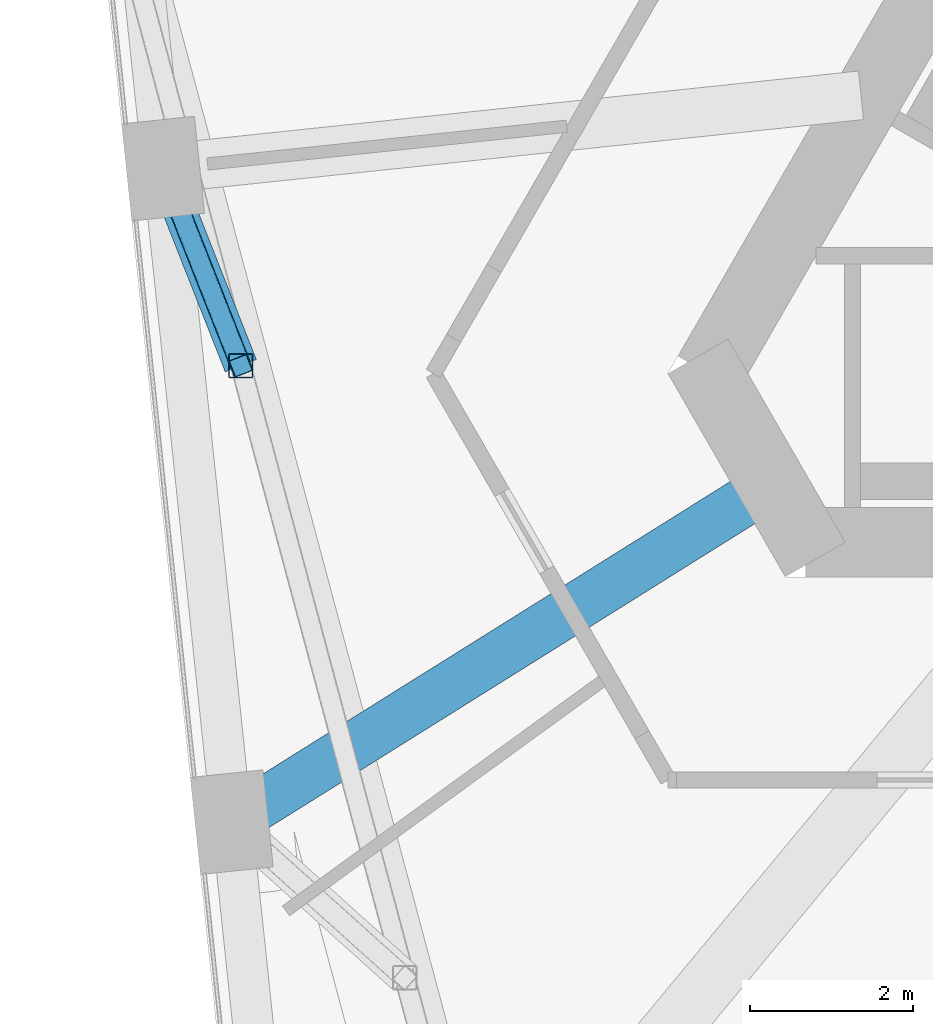
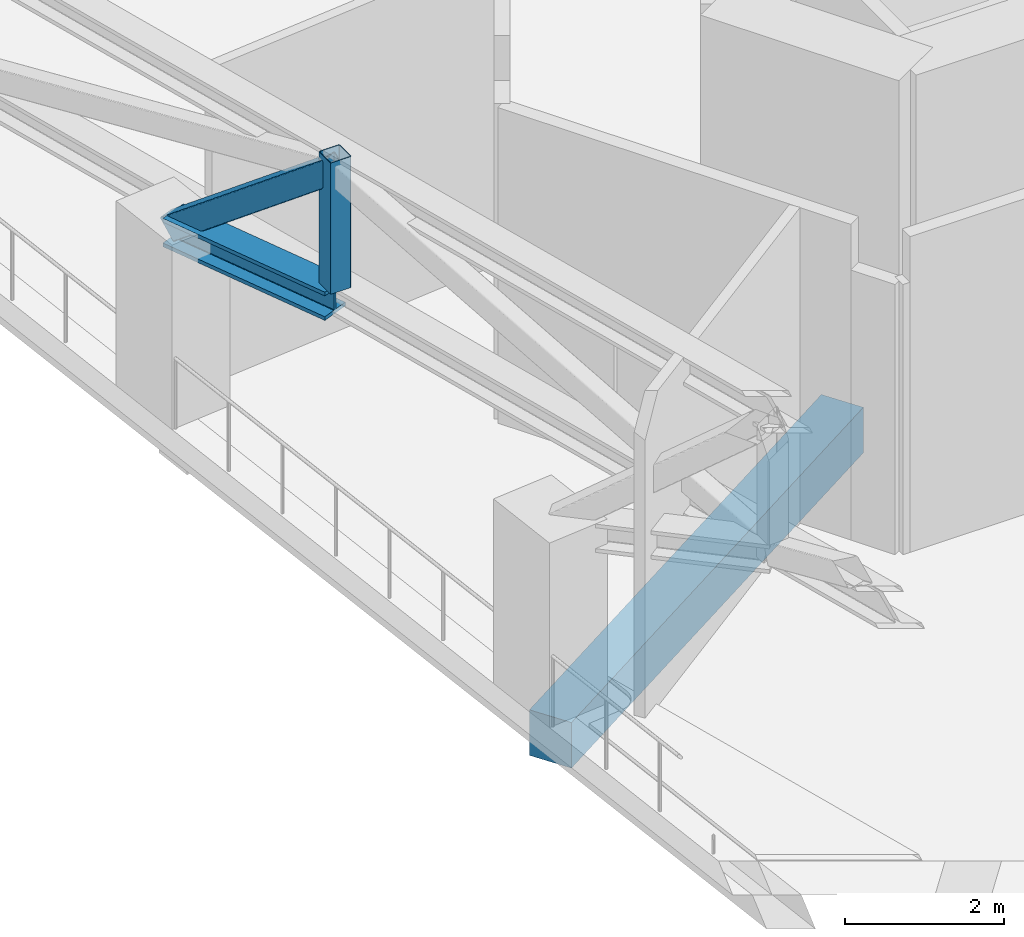
# One storey, part 4 of 26: 3 members, 1 beam.
"""IFC4 building model written with IfcOpenShell, lengths in metres."""

from ifc_helpers import new_model, si_unit, direction, frame, origin, origin_2d, place, context, subcontext, project, spatial, rectangle, hollow_rectangle, i_section, extrude, material, material_profile, profile_set, type_object, element, save


model = new_model("IFC4")

# Units and contexts
model_context = context("Model", 3, precision=1e-05, world=origin(), true_north=direction((0.0, 1.0)))
body_context = subcontext(model_context, "Body", "Model", "MODEL_VIEW")
ifc_project = project(units=[si_unit("LENGTHUNIT", "METRE"), si_unit("AREAUNIT", "SQUARE_METRE"), si_unit("VOLUMEUNIT", "CUBIC_METRE"), si_unit("PLANEANGLEUNIT", "RADIAN"), si_unit("MASSUNIT", "GRAM", prefix="KILO")], contexts=[model_context])

# Site, building, storey
site_placement = place(None, origin())
site = spatial("IfcSite", under=ifc_project, at=site_placement, CompositionType="ELEMENT")
building_placement = place(site_placement, origin())
building = spatial("IfcBuilding", under=site, at=building_placement, Name="Tramontana Tower", CompositionType="ELEMENT")
storey_placement = place(building_placement, frame((0.0, 0.0, 194.800048828125)))
storey = spatial("IfcBuildingStorey", under=building, at=storey_placement, Name="L45", CompositionType="ELEMENT", Elevation=194.800048828125)

# Member
ifc_material_1 = material(Name="Steel ASTM A500 Grade C", Category="steel")
ifc_material_profile_1 = material_profile(ifc_material_1, hollow_rectangle(XDim=0.3046875, YDim=0.3046875, WallThickness=0.01171875, InnerFilletRadius=0.01171875, OuterFilletRadius=0.023681640625, at=origin_2d()), Name="HSS12X12X1/2")
ifc_profile_set_1 = profile_set([ifc_material_profile_1], Name="Steel ASTM A500 Grade C")
member_type_1 = type_object("IfcMemberType", Name="Belt truss HSS12X12X1/2 post", PredefinedType="POST", material=ifc_profile_set_1)
member_1_placement = place(storey_placement, frame((-15.503173828125, -4.154052734375, 2.8349609375), z_axis=(0.0, 0.0, 1.0), x_axis=(1.0, 0.0, 0.0)))
element("IfcMember", 1, at=member_1_placement, inside=storey, type_object=member_type_1, Name="Belt truss post C5F03", PredefinedType="POST", context=body_context, shape_type="SweptSolid", body=[
    extrude(hollow_rectangle(XDim=0.3046875, YDim=0.3046875, WallThickness=0.01171875, InnerFilletRadius=0.01171875, OuterFilletRadius=0.023681640625, at=origin_2d()), origin(), (0.0, 0.0, 1.0), 2.014892578125),
])

# Beam
ifc_material_2 = material(Name="Concrete 40 MPa", Category="concrete")
ifc_material_profile_2 = material_profile(ifc_material_2, rectangle(XDim=0.60009765625, YDim=0.699951171875, at=origin_2d()), Name="RC GIRDER 600X700 40 MPa")
ifc_profile_set_2 = profile_set([ifc_material_profile_2], Name="Concrete 40 MPa")
beam_type = type_object("IfcBeamType", Name="RC GIRDER 600X700 40 MPa", PredefinedType="BEAM", material=ifc_profile_set_2)
beam_placement = place(storey_placement, frame((-15.614501953125, -9.7685546875, -0.699951171875), z_axis=(0.847767192537, 0.530368539091, 0.0), x_axis=(-0.530368539091, 0.847767192537, 0.0)))
element("IfcBeam", 2, at=beam_placement, inside=storey, type_object=beam_type, Name="Radial girder C4F04 L45", PredefinedType="BEAM", context=body_context, shape_type="SweptSolid", body=[
    extrude(rectangle(XDim=0.60009765625, YDim=0.699951171875, at=origin_2d()), origin(), (0.0, 0.0, 1.0), 7.83642578125),
])

# Members
ifc_material_3 = material(Name="Steel ASTM A500 Grade C", Category="steel")
ifc_material_profile_3 = material_profile(ifc_material_3, hollow_rectangle(XDim=0.25390625, YDim=0.355712890625, WallThickness=0.01171875, InnerFilletRadius=0.01171875, OuterFilletRadius=0.023681640625, at=origin_2d()), Name="HSS14X10X1/2")
ifc_profile_set_3 = profile_set([ifc_material_profile_3], Name="Steel ASTM A500 Grade C")
member_type_2 = type_object("IfcMemberType", Name="Transfer truss HSS14X10X1/2 brace", PredefinedType="BRACE", material=ifc_profile_set_3)
member_2_placement = place(storey_placement, frame((-16.459228515625, -1.72998046875, 2.617431640625), z_axis=(0.290234473541, -0.735888173592, 0.611745491472), x_axis=(0.930262121458, 0.366895605562, 0.0)))
element("IfcMember", 3, at=member_2_placement, inside=storey, type_object=member_type_2, Name="Transfer truss strut C5F03 diagonal", PredefinedType="BRACE", context=body_context, shape_type="SweptSolid", body=[
    extrude(hollow_rectangle(XDim=0.25390625, YDim=0.355712890625, WallThickness=0.01171875, InnerFilletRadius=0.01171875, OuterFilletRadius=0.023681640625, at=origin_2d()), origin(), (0.0, 0.0, 1.0), 3.294189453125),
])
ifc_material_4 = material(Name="Steel ASTM A992 Grade 50", Category="steel")
ifc_material_profile_4 = material_profile(ifc_material_4, i_section(OverallWidth=0.412841796875, OverallDepth=0.43505859375, WebThickness=0.03662109375, FlangeThickness=0.05712890625, FilletRadius=0.01513671875, at=origin_2d()), Name="W14X311")
ifc_profile_set_4 = profile_set([ifc_material_profile_4], Name="Steel ASTM A992 Grade 50")
member_type_3 = type_object("IfcMemberType", Name="Transfer truss W14X311 strut", PredefinedType="STRUT", material=ifc_profile_set_4)
member_3_placement = place(storey_placement, frame((-16.459228515625, -1.72998046875, 2.617431640625), z_axis=(0.366895605562, -0.930262121458, 0.0), x_axis=(0.930262121458, 0.366895605562, 0.0)))
element("IfcMember", 4, at=member_3_placement, inside=storey, type_object=member_type_3, Name="Transfer truss strut C5F03 bottom", PredefinedType="STRUT", context=body_context, shape_type="SweptSolid", body=[
    extrude(i_section(OverallWidth=0.412841796875, OverallDepth=0.43505859375, WebThickness=0.03662109375, FlangeThickness=0.05712890625, FilletRadius=0.01513671875, at=origin_2d()), origin(), (0.0, 0.0, 1.0), 2.605712890625),
])

save(model, "model.ifc")
